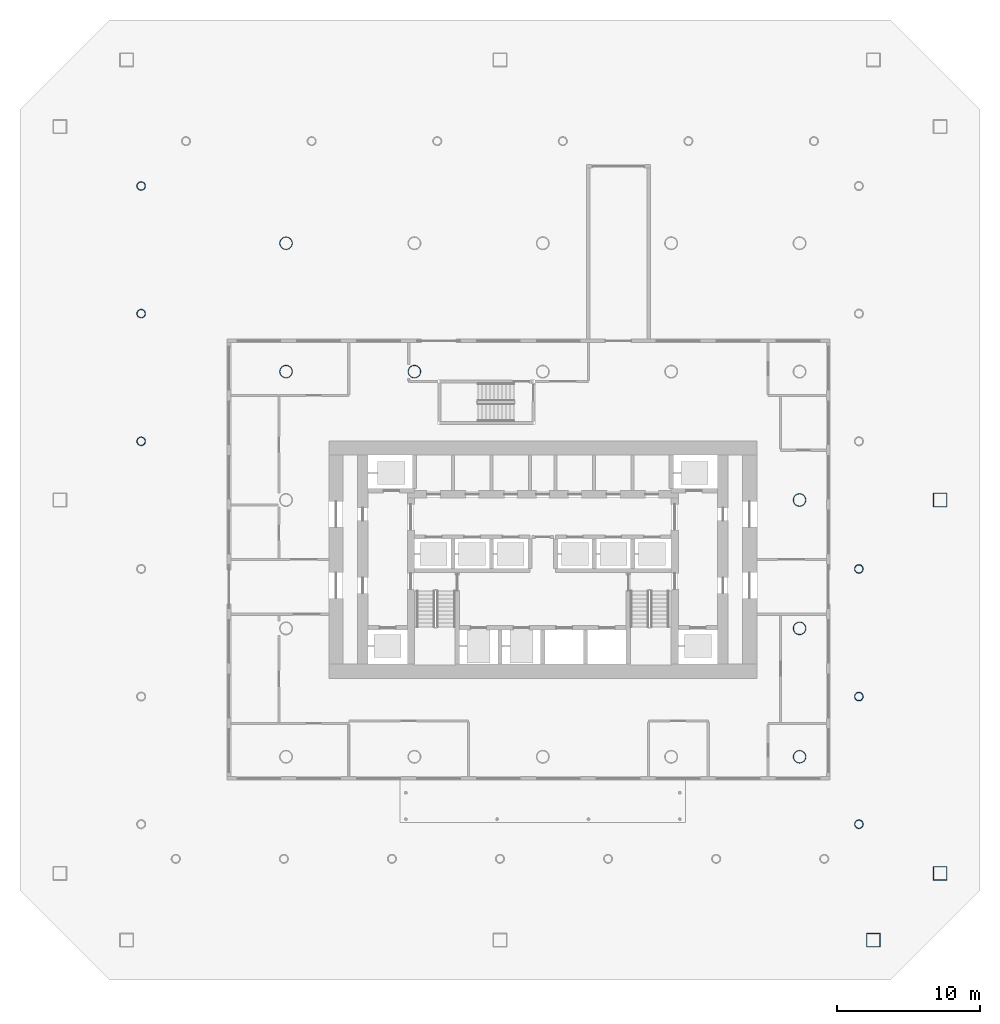
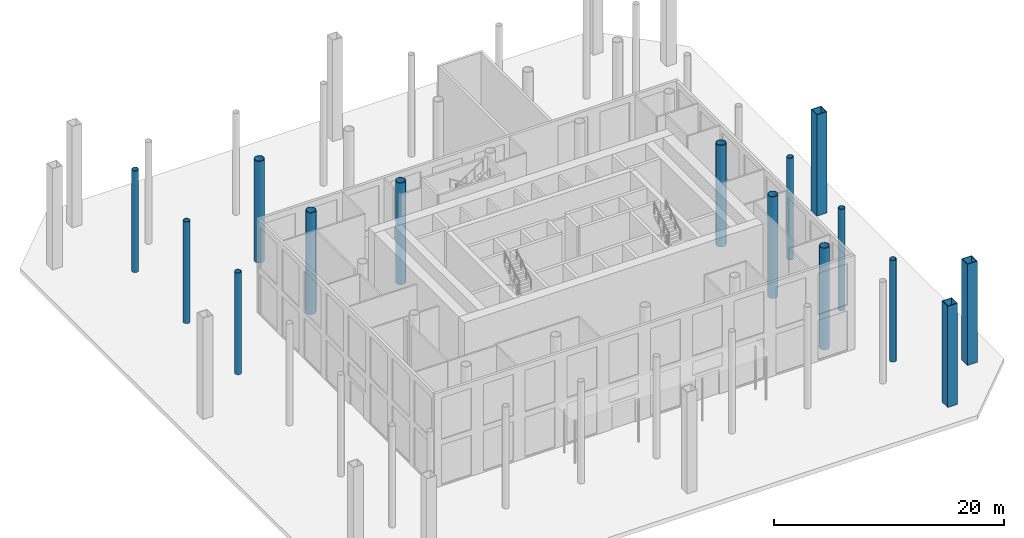
# One storey, part 5 of 18: 15 columns.
"""IFC4 building model written with IfcOpenShell, lengths in metres."""

import ifcopenshell
import ifcopenshell.guid

model = None  # the IFC model being written
_history = None  # IfcOwnerHistory: only IFC2X3 demands one
_inside = {}  # id of a spatial element -> (the spatial element, [elements in it])
_under = {}  # id of a project, library or spatial element -> (it, [spatial elements below it])
_declared = {}  # id of a project -> (the project, [libraries it declares])
_typed = {}  # id of a type object -> (the type object, [elements of that type])
_made_of = {}  # id of a material, layer set ... -> (it, [elements and type objects made of it])


def new_model(schema):
    """Start an empty IFC model of exactly this schema.

    Asked for "IFC4X3", IfcOpenShell would pick the latest addendum, in which some entities
    have other attributes; the version numbers below select the first issue.
    IFC2X3 requires an IfcOwnerHistory on every rooted entity: one is made here for all.
    """
    global model, _history
    if schema == "IFC4X3":
        model = ifcopenshell.file(schema_version=(4, 3, 0, 0))
    else:
        model = ifcopenshell.file(schema=schema)
    _inside.clear()
    _under.clear()
    _declared.clear()
    _typed.clear()
    _made_of.clear()
    _history = None
    if model.schema == "IFC2X3":
        org = make("IfcOrganization", Name="unknown")
        user = make(
            "IfcPersonAndOrganization",
            ThePerson=make("IfcPerson", FamilyName="unknown"),
            TheOrganization=org,
        )
        app = make(
            "IfcApplication",
            ApplicationDeveloper=org,
            Version="unknown",
            ApplicationFullName="unknown",
            ApplicationIdentifier="unknown",
        )
        _history = make(
            "IfcOwnerHistory",
            OwningUser=user,
            OwningApplication=app,
            ChangeAction="ADDED",
            CreationDate=0,
        )
    return model


def make(cls, **values):
    """One entity of the class cls with the attributes given. An attribute that is None is left unset."""
    return model.create_entity(
        cls, **{name: value for name, value in values.items() if value is not None}
    )


def rooted(cls, **values):
    """An entity with a GlobalId (a new one), such as an element, a storey or a relation."""
    return make(cls, GlobalId=ifcopenshell.guid.new(), OwnerHistory=_history, **values)


def si_unit(unit_type, name, prefix=None):
    """IfcSIUnit, for example si_unit("LENGTHUNIT", "METRE", prefix="MILLI")."""
    return make("IfcSIUnit", UnitType=unit_type, Prefix=prefix, Name=name)


def assignment(units):
    """IfcUnitAssignment: the units of a project."""
    return None if units is None else make("IfcUnitAssignment", Units=units)


def point(xyz):
    """IfcCartesianPoint."""
    return None if xyz is None else make("IfcCartesianPoint", Coordinates=xyz)


def direction(xyz):
    """IfcDirection."""
    return None if xyz is None else make("IfcDirection", DirectionRatios=xyz)


def frame(location, z_axis=None, x_axis=None):
    """IfcAxis2Placement3D, a coordinate frame: its origin and axes. An axis left out is left unset."""
    return make(
        "IfcAxis2Placement3D",
        Location=point(location),
        Axis=direction(z_axis),
        RefDirection=direction(x_axis),
    )


def frame_2d(location, x_axis=None):
    """IfcAxis2Placement2D, a coordinate frame in the plane: its origin and x axis."""
    return make(
        "IfcAxis2Placement2D", Location=point(location), RefDirection=direction(x_axis)
    )


def origin():
    """The frame at (0, 0, 0) with its axes left unset."""
    return frame((0.0, 0.0, 0.0))


def origin_2d():
    """The frame at (0, 0) in the plane with its x axis left unset."""
    return frame_2d((0.0, 0.0))


def place(relative_to, where):
    """IfcLocalPlacement: puts the frame where relative to a parent placement (None: the world)."""
    return make(
        "IfcLocalPlacement", PlacementRelTo=relative_to, RelativePlacement=where
    )


def context(
    kind, dimensions, precision=None, world=None, true_north=None, identifier=None
):
    """IfcGeometricRepresentationContext, for example the 3D "Model" context."""
    return make(
        "IfcGeometricRepresentationContext",
        ContextIdentifier=identifier,
        ContextType=kind,
        CoordinateSpaceDimension=dimensions,
        Precision=precision,
        WorldCoordinateSystem=world,
        TrueNorth=true_north,
    )


def subcontext(parent, identifier, kind, view, scale=None):
    """IfcGeometricRepresentationSubContext, for example "Body" below "Model"."""
    return make(
        "IfcGeometricRepresentationSubContext",
        ContextIdentifier=identifier,
        ContextType=kind,
        ParentContext=parent,
        TargetScale=scale,
        TargetView=view,
    )


def project(units=None, contexts=None):
    """IfcProject with its units and contexts."""
    return rooted(
        "IfcProject",
        Name="project",
        RepresentationContexts=contexts,
        UnitsInContext=assignment(units),
    )


def spatial(cls, under=None, at=None, **own):
    """A site, building, storey or space (cls), placed at a placement, below another one or the project."""
    s = rooted(cls, ObjectPlacement=at, **own)
    if under is not None:
        _under.setdefault(under.id(), (under, []))[1].append(s)
    return s


def profile(cls, at=None, kind="AREA", **sizes):
    """A parametric profile (cls). Its sizes go by their IFC names, for example OverallWidth=200.0."""
    return make(cls, ProfileType=kind, Position=at, **sizes)


def hollow_rectangle(**sizes):
    """IfcRectangleHollowProfileDef."""
    return profile("IfcRectangleHollowProfileDef", **sizes)


def hollow_circle(**sizes):
    """IfcCircleHollowProfileDef."""
    return profile("IfcCircleHollowProfileDef", **sizes)


def extrude(swept, where, along, depth):
    """IfcExtrudedAreaSolid: the profile swept, set in the frame where, extruded along a direction by depth."""
    return make(
        "IfcExtrudedAreaSolid",
        SweptArea=swept,
        Position=where,
        ExtrudedDirection=direction(along),
        Depth=depth,
    )


def shape(context_of_items, identifier, shape_type, items):
    """IfcShapeRepresentation: the items that make up one representation, for example the "Body"."""
    return make(
        "IfcShapeRepresentation",
        ContextOfItems=context_of_items,
        RepresentationIdentifier=identifier,
        RepresentationType=shape_type,
        Items=items,
    )


def material(Name=None, Category=None):
    """IfcMaterial."""
    return make("IfcMaterial", Name=Name, Category=Category)


def material_profile(
    of_material, cross_section, Name=None, Category=None, Priority=None
):
    """IfcMaterialProfile: a cross section and its material."""
    return make(
        "IfcMaterialProfile",
        Name=Name,
        Material=of_material,
        Profile=cross_section,
        Priority=Priority,
        Category=Category,
    )


def profile_set(profiles, Name=None, composite=None):
    """IfcMaterialProfileSet."""
    return make(
        "IfcMaterialProfileSet",
        Name=Name,
        MaterialProfiles=profiles,
        CompositeProfile=composite,
    )


def made_of(thing, what):
    """Note that an element or type object is made of a material, layer set ...; save() writes the relation."""
    if what is not None:
        _made_of.setdefault(what.id(), (what, []))[1].append(thing)
    return thing


def type_object(cls, material=None, **own):
    """A type object (cls), such as IfcWallType, which elements share."""
    return made_of(rooted(cls, **own), material)


def element(
    cls,
    number,
    at=None,
    inside=None,
    cuts=None,
    type_object=None,
    material=None,
    context=None,
    identifier="Body",
    shape_type=None,
    held_by="IfcProductDefinitionShape",
    body=None,
    shapes=None,
    **own,
):
    """One element of the class cls, such as IfcWall. Its Tag is "e" and its number.

    at: its placement. inside: the storey or other place that contains it. cuts: it is an
    opening in that element (IfcRelVoidsElement). A single representation is given by context,
    identifier, shape_type and body (its items); several are given by shapes. held_by: the class
    of the entity that holds the representations. save() writes the other relations.
    """
    e = rooted(cls, Tag="e%d" % number, ObjectPlacement=at, **own)
    if body is not None:
        shapes = [shape(context, identifier, shape_type, body)]
    if shapes is not None:
        e.Representation = make(held_by, Representations=shapes)
    if inside is not None:
        _inside.setdefault(inside.id(), (inside, []))[1].append(e)
    if cuts is not None:
        rooted(
            "IfcRelVoidsElement", RelatingBuildingElement=cuts, RelatedOpeningElement=e
        )
    if type_object is not None:
        _typed.setdefault(type_object.id(), (type_object, []))[1].append(e)
    return made_of(e, material)


def aggregate(whole, parts):
    """IfcRelAggregates: a whole, such as a stair, and the parts it consists of."""
    return rooted("IfcRelAggregates", RelatingObject=whole, RelatedObjects=parts)


def save(model, path):
    """Write the relations noted so far, then the file.

    IfcRelAggregates (storeys below a building ...), IfcRelContainedInSpatialStructure (elements
    in a storey), IfcRelDefinesByType, IfcRelAssociatesMaterial and IfcRelDeclares: one each for
    every whole, place, type object, material and project.
    """
    for whole, parts in _under.values():
        aggregate(whole, parts)
    for where, things in _inside.values():
        rooted(
            "IfcRelContainedInSpatialStructure",
            RelatedElements=things,
            RelatingStructure=where,
        )
    for kind, things in _typed.values():
        rooted("IfcRelDefinesByType", RelatedObjects=things, RelatingType=kind)
    for what, things in _made_of.values():
        rooted("IfcRelAssociatesMaterial", RelatedObjects=things, RelatingMaterial=what)
    for by, libraries in _declared.values():
        rooted("IfcRelDeclares", RelatingContext=by, RelatedDefinitions=libraries)
    model.write(path)


model = new_model("IFC4")

# Units and contexts
model_context = context("Model", 3, precision=1e-05, world=origin(), true_north=direction((0.0, 1.0)))
body_context = subcontext(model_context, "Body", "Model", "MODEL_VIEW")
ifc_project = project(units=[si_unit("LENGTHUNIT", "METRE"), si_unit("AREAUNIT", "SQUARE_METRE"), si_unit("VOLUMEUNIT", "CUBIC_METRE"), si_unit("PLANEANGLEUNIT", "RADIAN"), si_unit("MASSUNIT", "GRAM", prefix="KILO")], contexts=[model_context])

# Site, building, storey
site_placement = place(None, origin())
site = spatial("IfcSite", under=ifc_project, at=site_placement, CompositionType="ELEMENT")
building_placement = place(site_placement, origin())
building = spatial("IfcBuilding", under=site, at=building_placement, Name="Tskaro Facet Tower", CompositionType="ELEMENT")
storey_placement = place(building_placement, origin())
storey = spatial("IfcBuildingStorey", under=building, at=storey_placement, Name="L00", CompositionType="ELEMENT", Elevation=0.0)

# Columns
ifc_material_1 = material(Name="Steel S460M", Category="steel")
ifc_material_profile_1 = material_profile(ifc_material_1, hollow_rectangle(XDim=1.0, YDim=1.0, WallThickness=0.06005859375, at=origin_2d()), Name="BOX 1000x1000x60")
ifc_profile_set_1 = profile_set([ifc_material_profile_1], Name="Steel S460M")
column_type_1 = type_object("IfcColumnType", Name="BOX 1000x1000x60 mega column", PredefinedType="COLUMN", material=ifc_profile_set_1)
for number, where, z_axis, x_axis, name in (
    (1, (23.180908203125, -30.85009765625, 0.0), (0.0, 0.0, 1.0), (1.0, 0.0, 0.0), "BOX 1000x1000x60 MC03/G"),
    (2, (27.85009765625, -26.180908203125, 0.0), (0.0, 0.0, 1.0), (1.0, 0.0, 0.0), "BOX 1000x1000x60 MC04/G"),
):
    element("IfcColumn", number, at=place(storey_placement, frame(where, z_axis=z_axis, x_axis=x_axis)), inside=storey, type_object=column_type_1, Name=name, PredefinedType="COLUMN", context=body_context, shape_type="SweptSolid", body=[
        extrude(hollow_rectangle(XDim=1.0, YDim=1.0, WallThickness=0.06005859375, at=origin_2d()), origin(), (0.0, 0.0, 1.0), 10.751953125),
    ])
column_placement = place(storey_placement, frame((27.85009765625, 0.0, 0.0), z_axis=(0.0, 0.0, 1.0), x_axis=(1.0, 0.0, 0.0)))
element("IfcColumn", 3, at=column_placement, inside=storey, type_object=column_type_1, Name="BOX 1000x1000x60 MC05/G", PredefinedType="COLUMN", context=body_context, shape_type="SweptSolid", body=[
    extrude(hollow_rectangle(XDim=1.0, YDim=1.0, WallThickness=0.06005859375, at=origin_2d()), origin(), (0.0, 0.0, 1.0), 10.76318359375),
])
ifc_material_2 = material(Name="Steel S355J2H", Category="steel")
ifc_material_profile_2 = material_profile(ifc_material_2, hollow_circle(Radius=0.304931640625, WallThickness=0.030029296875, at=origin_2d()), Name="CHS 610x30")
ifc_profile_set_2 = profile_set([ifc_material_profile_2], Name="Steel S355J2H")
column_type_2 = type_object("IfcColumnType", Name="CHS 610x30 ring column", PredefinedType="COLUMN", material=ifc_profile_set_2)
for number, where, z_axis, x_axis, name in (
    (4, (22.156982421875, -22.72900390625, 0.0), (0.0, 0.0, 1.0), (1.0, 0.0, 0.0), "CHS 610x30 RE-1/1"),
    (5, (22.156982421875, -13.781005859375, 0.0), (0.0, 0.0, 1.0), (1.0, 0.0, 0.0), "CHS 610x30 RE-2/1"),
    (6, (22.156982421875, -4.8330078125, 0.0), (0.0, 0.0, 1.0), (1.0, 0.0, 0.0), "CHS 610x30 RE-3/1"),
    (7, (-28.156982421875, 22.011962890625, 0.0), (0.0, 0.0, 1.0), (1.0, 0.0, 0.0), "CHS 610x30 RW-1/1"),
    (8, (-28.156982421875, 13.06396484375, 0.0), (0.0, 0.0, 1.0), (1.0, 0.0, 0.0), "CHS 610x30 RW-2/1"),
    (9, (-28.156982421875, 4.115966796875, 0.0), (0.0, 0.0, 1.0), (1.0, 0.0, 0.0), "CHS 610x30 RW-3/1"),
):
    element("IfcColumn", number, at=place(storey_placement, frame(where, z_axis=z_axis, x_axis=x_axis)), inside=storey, type_object=column_type_2, Name=name, PredefinedType="COLUMN", context=body_context, shape_type="SweptSolid", body=[
        extrude(hollow_circle(Radius=0.304931640625, WallThickness=0.030029296875, at=origin_2d()), origin(), (0.0, 0.0, 1.0), 10.800048828125),
    ])
ifc_material_profile_3 = material_profile(ifc_material_2, hollow_circle(Radius=0.457275390625, WallThickness=0.050048828125, at=origin_2d()), Name="CHS 914.4x50")
ifc_profile_set_3 = profile_set([ifc_material_profile_3], Name="Steel S355J2H")
column_type_3 = type_object("IfcColumnType", Name="CHS 914.4x50 interior column", PredefinedType="COLUMN", material=ifc_profile_set_3)
for number, where, z_axis, x_axis, name in (
    (10, (-18.0, 9.0, 0.0), (0.0, 0.0, 1.0), (1.0, 0.0, 0.0), "CHS 914.4x50 C2E/1"),
    (11, (-18.0, 18.0, 0.0), (0.0, 0.0, 1.0), (1.0, 0.0, 0.0), "CHS 914.4x50 C2F/1"),
    (12, (-9.0, 9.0, 0.0), (0.0, 0.0, 1.0), (1.0, 0.0, 0.0), "CHS 914.4x50 C3E/1"),
    (13, (18.0, -18.0, 0.0), (0.0, 0.0, 1.0), (1.0, 0.0, 0.0), "CHS 914.4x50 C6B/1"),
    (14, (18.0, -9.0, 0.0), (0.0, 0.0, 1.0), (1.0, 0.0, 0.0), "CHS 914.4x50 C6C/1"),
    (15, (18.0, 0.0, 0.0), (0.0, 0.0, 1.0), (1.0, 0.0, 0.0), "CHS 914.4x50 C6D/1"),
):
    element("IfcColumn", number, at=place(storey_placement, frame(where, z_axis=z_axis, x_axis=x_axis)), inside=storey, type_object=column_type_3, Name=name, PredefinedType="COLUMN", context=body_context, shape_type="SweptSolid", body=[
        extrude(hollow_circle(Radius=0.457275390625, WallThickness=0.050048828125, at=origin_2d()), origin(), (0.0, 0.0, 1.0), 10.800048828125),
    ])

save(model, "model.ifc")
